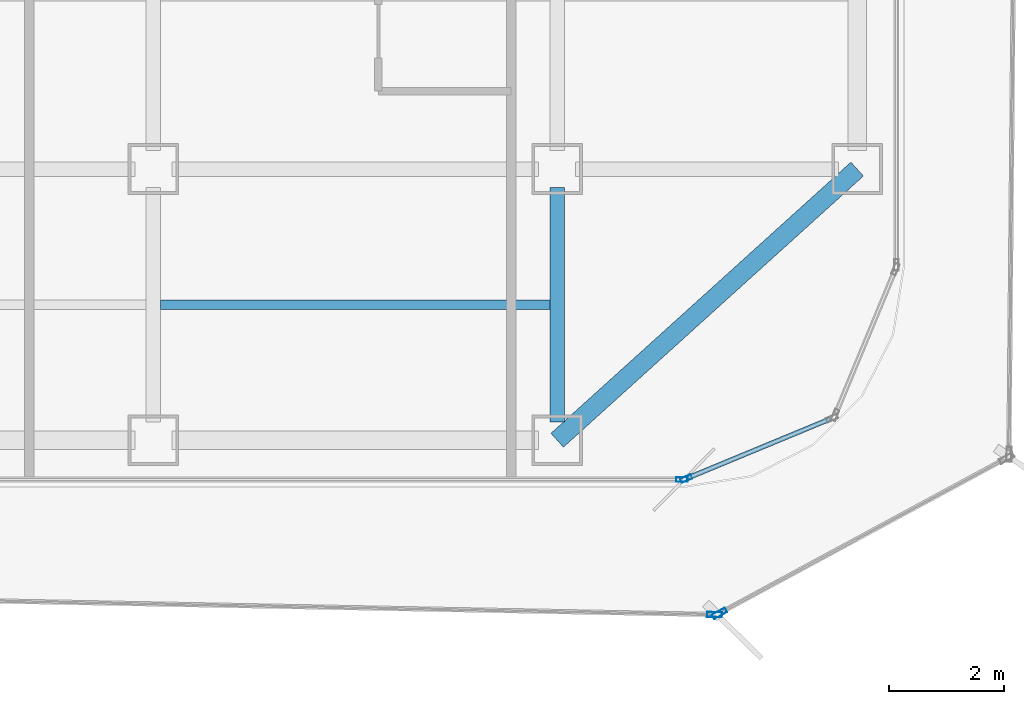
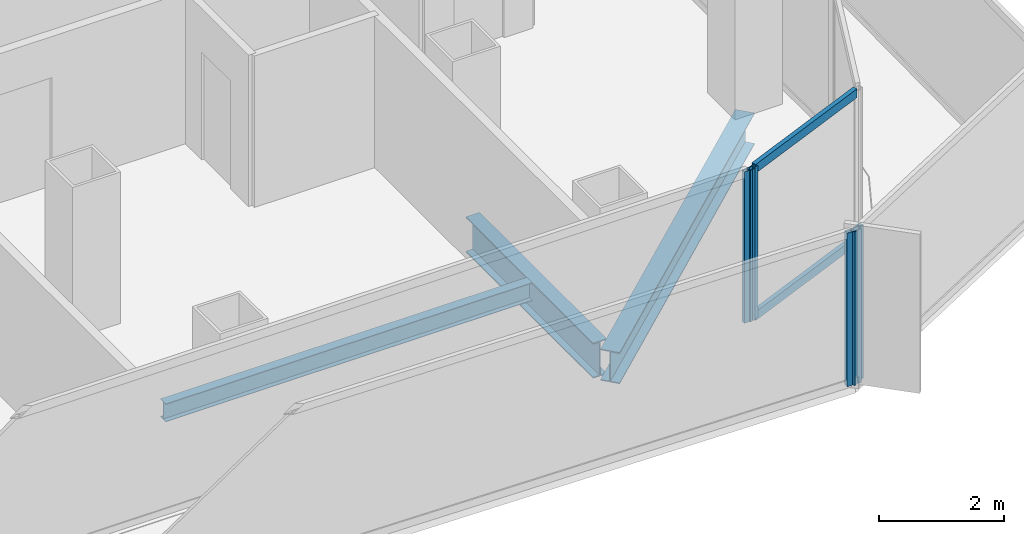
# One storey, part 6 of 21: 6 members, 3 beams, 4 elements without a shape of their own.
"""IFC4 building model written with IfcOpenShell, lengths in metres."""

from ifc_helpers import new_model, si_unit, direction, frame, origin, origin_2d, place, context, subcontext, project, spatial, hollow_rectangle, i_section, extrude, source, transform, mapped, material, layer, layer_set, material_profile, profile_set, type_object, element, aggregate, save


model = new_model("IFC4")

# Units and contexts
model_context = context("Model", 3, precision=1e-05, world=origin(), true_north=direction((0.0, 1.0)))
body_context = subcontext(model_context, "Body", "Model", "MODEL_VIEW")
ifc_project = project(units=[si_unit("LENGTHUNIT", "METRE"), si_unit("AREAUNIT", "SQUARE_METRE"), si_unit("VOLUMEUNIT", "CUBIC_METRE"), si_unit("PLANEANGLEUNIT", "RADIAN"), si_unit("MASSUNIT", "GRAM", prefix="KILO")], contexts=[model_context])

# Site, building, storey
site_placement = place(None, origin())
site = spatial("IfcSite", under=ifc_project, at=site_placement, CompositionType="ELEMENT")
building_placement = place(site_placement, origin())
building = spatial("IfcBuilding", under=site, at=building_placement, Name="Kolveth Station Tower", CompositionType="ELEMENT")
storey_placement = place(building_placement, frame((0.0, 0.0, 95.89990234375)))
storey = spatial("IfcBuildingStorey", under=building, at=storey_placement, Name="L25", CompositionType="ELEMENT", Elevation=95.89990234375)

# Beams
ifc_material_1 = material(Name="Steel S355", Category="steel")
ifc_material_profile_1 = material_profile(ifc_material_1, i_section(OverallWidth=0.323974609375, OverallDepth=0.611083984375, WebThickness=0.0126953125, FlangeThickness=0.01904296875, at=origin_2d()), Name="W610x155")
ifc_profile_set_1 = profile_set([ifc_material_profile_1], Name="Steel S355")
beam_type_1 = type_object("IfcBeamType", Name="Beam_SP2", PredefinedType="SPANDREL", material=ifc_profile_set_1)
shared_shape_1 = source(origin(), body_context, "Body", "SweptSolid", [
    extrude(i_section(OverallWidth=0.323974609375, OverallDepth=0.611083984375, WebThickness=0.0126953125, FlangeThickness=0.01904296875, at=origin_2d()), origin(), (0.0, 0.0, 1.0), 7.00927734375),
])
beam_1_placement = place(storey_placement, frame((41.0, 0.800048828125, -0.555419921875), z_axis=(0.741874009795, 0.670539300557, 0.0), x_axis=(-0.670539300557, 0.741874009795, 0.0)))
element("IfcBeam", 1, at=beam_1_placement, inside=storey, type_object=beam_type_1, Name="L25 Corner Edge Girder BM-L25-CNR-SE", PredefinedType="SPANDREL", context=body_context, shape_type="MappedRepresentation", body=[
    mapped(shared_shape_1, transform((0.0, 0.0, 0.0), x_axis=(1.0, 0.0, 0.0), y_axis=(0.0, 1.0, 0.0), z_axis=(0.0, 0.0, 1.0), scale=1.0)),
])
ifc_material_profile_2 = material_profile(ifc_material_1, i_section(OverallWidth=0.25390625, OverallDepth=0.68798828125, WebThickness=0.01318359375, FlangeThickness=0.02099609375, at=origin_2d()), Name="W690x152")
ifc_profile_set_2 = profile_set([ifc_material_profile_2], Name="Steel S355")
beam_type_2 = type_object("IfcBeamType", Name="Beam_B4", PredefinedType="BEAM", material=ifc_profile_set_2)
shared_shape_2 = source(origin(), body_context, "Body", "SweptSolid", [
    extrude(i_section(OverallWidth=0.25390625, OverallDepth=0.68798828125, WebThickness=0.01318359375, FlangeThickness=0.02099609375, at=origin_2d()), origin(), (0.0, 0.0, 1.0), 4.059814453125),
])
beam_2_placement = place(storey_placement, frame((41.0, 1.1201171875, -0.593994140625), z_axis=(0.0, 1.0, 0.0), x_axis=(-1.0, 0.0, 0.0)))
element("IfcBeam", 2, at=beam_2_placement, inside=storey, type_object=beam_type_2, Name="L25 Primary Girder BM-L25-GX410-1", PredefinedType="BEAM", context=body_context, shape_type="MappedRepresentation", body=[
    mapped(shared_shape_2, transform((0.0, 0.0, 0.0), x_axis=(1.0, 0.0, 0.0), y_axis=(0.0, 1.0, 0.0), z_axis=(0.0, 0.0, 1.0), scale=1.0)),
])
ifc_material_profile_3 = material_profile(ifc_material_1, i_section(OverallWidth=0.1708984375, OverallDepth=0.35205078125, WebThickness=0.0068359375, FlangeThickness=0.009765625, at=origin_2d()), Name="W360x44")
ifc_profile_set_3 = profile_set([ifc_material_profile_3], Name="Steel S355")
beam_type_3 = type_object("IfcBeamType", Name="Beam_J2", PredefinedType="JOIST", material=ifc_profile_set_3)
shared_shape_3 = source(origin(), body_context, "Body", "SweptSolid", [
    extrude(i_section(OverallWidth=0.1708984375, OverallDepth=0.35205078125, WebThickness=0.0068359375, FlangeThickness=0.009765625, at=origin_2d()), origin(), (0.0, 0.0, 1.0), 6.75),
])
beam_3_placement = place(storey_placement, frame((34.125, 3.14990234375, -0.42578125), z_axis=(1.0, 0.0, 0.0), x_axis=(0.0, 1.0, 0.0)))
element("IfcBeam", 3, at=beam_3_placement, inside=storey, type_object=beam_type_3, Name="L25 Secondary Joist JST-L25-6-1", PredefinedType="JOIST", context=body_context, shape_type="MappedRepresentation", body=[
    mapped(shared_shape_3, transform((0.0, 0.0, 0.0), x_axis=(1.0, 0.0, 0.0), y_axis=(0.0, 1.0, 0.0), z_axis=(0.0, 0.0, 1.0), scale=1.0)),
])

# Curtain wall, members
ifc_material_2 = material(Name="Aluminium 6063-T6 and low-E dark glass", Category="aluminium")
ifc_layer_1 = layer(ifc_material_2, 0.18994140625)
ifc_layer_set_1 = layer_set([ifc_layer_1], Name="Aluminium 6063-T6 and low-E dark glass")
curtain_wall_type_1 = type_object("IfcCurtainWallType", Name="CurtainWall_CW-Z2", PredefinedType="NOTDEFINED", material=ifc_layer_set_1)
curtain_wall_1_placement = place(storey_placement, origin())
curtain_wall_1 = element("IfcCurtainWall", 4, at=curtain_wall_1_placement, inside=storey, type_object=curtain_wall_type_1, Name="L25 Inner Thermal Curtain Wall 1", PredefinedType="NOTDEFINED")
ifc_material_3 = material(Name="Black anodized aluminium 6063-T6", Category="aluminium")
ifc_material_profile_4 = material_profile(ifc_material_3, hollow_rectangle(XDim=0.080078125, YDim=0.169921875, WallThickness=0.0048828125, at=origin_2d()), Name="ALU-80x170x5")
ifc_profile_set_4 = profile_set([ifc_material_profile_4], Name="Black anodized aluminium 6063-T6")
member_type_1 = type_object("IfcMemberType", Name="Transom_TR2", PredefinedType="USERDEFINED", material=ifc_profile_set_4)
shared_shape_4 = source(origin(), body_context, "Body", "SweptSolid", [
    extrude(hollow_rectangle(XDim=0.080078125, YDim=0.169921875, WallThickness=0.0048828125, at=origin_2d()), origin(), (0.0, 0.0, 1.0), 2.656494140625),
])
member_1_placement = place(storey_placement, frame((43.27392578125, 0.150634765625, 0.0400390625), z_axis=(0.923882422403, 0.382676455475, 0.0), x_axis=(-0.382676455475, 0.923882422403, 0.0)))
member_1 = element("IfcMember", 5, at=member_1_placement, type_object=member_type_1, Name="CW-Z2 transom 1.1", ObjectType="TRANSOM", PredefinedType="USERDEFINED", context=body_context, shape_type="MappedRepresentation", body=[
    mapped(shared_shape_4, transform((0.0, 0.0, 0.0), x_axis=(1.0, 0.0, 0.0), y_axis=(0.0, 1.0, 0.0), z_axis=(0.0, 0.0, 1.0), scale=1.0)),
])
member_2_placement = place(storey_placement, frame((43.27392578125, 0.150634765625, 2.91015625), z_axis=(0.923882422403, 0.382676455475, 0.0), x_axis=(-0.382676455475, 0.923882422403, 0.0)))
member_2 = element("IfcMember", 6, at=member_2_placement, type_object=member_type_1, Name="CW-Z2 transom 1.2", ObjectType="TRANSOM", PredefinedType="USERDEFINED", context=body_context, shape_type="MappedRepresentation", body=[
    mapped(shared_shape_4, transform((0.0, 0.0, 0.0), x_axis=(1.0, 0.0, 0.0), y_axis=(0.0, 1.0, 0.0), z_axis=(0.0, 0.0, 1.0), scale=1.0)),
])

# Curtain wall, member
ifc_material_4 = material(Name="Black anodized aluminium 6063-T6 and dark solar glass", Category="aluminium")
ifc_layer_2 = layer(ifc_material_4, 0.159912109375)
ifc_layer_set_2 = layer_set([ifc_layer_2], Name="Black anodized aluminium 6063-T6 and dark solar glass")
curtain_wall_type_2 = type_object("IfcCurtainWallType", Name="OUTER SKIN CW-OS", PredefinedType="NOTDEFINED", material=ifc_layer_set_2)
curtain_wall_2_placement = place(storey_placement, origin())
curtain_wall_2 = element("IfcCurtainWall", 7, at=curtain_wall_2_placement, inside=storey, type_object=curtain_wall_type_2, Name="L25 Outer Ventilated Skin Curtain Wall 1", PredefinedType="NOTDEFINED")
ifc_material_profile_5 = material_profile(ifc_material_3, hollow_rectangle(XDim=0.090087890625, YDim=0.260009765625, WallThickness=0.0048828125, at=origin_2d()), Name="ALU-90x260x5")
ifc_profile_set_5 = profile_set([ifc_material_profile_5], Name="Black anodized aluminium 6063-T6")
member_type_2 = type_object("IfcMemberType", Name="FIN MULLION ML-OS", PredefinedType="MULLION", material=ifc_profile_set_5)
shared_shape_5 = source(origin(), body_context, "Body", "SweptSolid", [
    extrude(hollow_rectangle(XDim=0.090087890625, YDim=0.260009765625, WallThickness=0.0048828125, at=origin_2d()), origin(), (0.0, 0.0, 1.0), 2.989990234375),
])
member_3_placement = place(storey_placement, frame((43.812255859375, -2.202392578125, 0.0), z_axis=(0.0, 0.0, 1.0), x_axis=(-0.475374489105, 0.879783550146, 0.0)))
member_3 = element("IfcMember", 8, at=member_3_placement, type_object=member_type_2, Name="CW-OS mullion 1", PredefinedType="MULLION", context=body_context, shape_type="MappedRepresentation", body=[
    mapped(shared_shape_5, transform((0.0, 0.0, 0.0), x_axis=(1.0, 0.0, 0.0), y_axis=(0.0, 1.0, 0.0), z_axis=(0.0, 0.0, 1.0), scale=1.0)),
])
aggregate(curtain_wall_2, [member_3])

curtain_wall_3_placement = place(storey_placement, origin())
curtain_wall_3 = element("IfcCurtainWall", 9, at=curtain_wall_3_placement, inside=storey, type_object=curtain_wall_type_2, Name="L25 Outer Ventilated Skin Curtain Wall 8", PredefinedType="NOTDEFINED")
member_4_placement = place(storey_placement, frame((43.7275390625, -2.222900390625, 0.0), z_axis=(0.0, 0.0, 1.0), x_axis=(0.018786490643, 0.999823518312, 0.0)))
member_4 = element("IfcMember", 10, at=member_4_placement, type_object=member_type_2, Name="CW-OS mullion 2", PredefinedType="MULLION", context=body_context, shape_type="MappedRepresentation", body=[
    mapped(shared_shape_5, transform((0.0, 0.0, 0.0), x_axis=(1.0, 0.0, 0.0), y_axis=(0.0, 1.0, 0.0), z_axis=(0.0, 0.0, 1.0), scale=1.0)),
])
aggregate(curtain_wall_3, [member_4])

# Member
ifc_material_profile_6 = material_profile(ifc_material_3, hollow_rectangle(XDim=0.080078125, YDim=0.199951171875, WallThickness=0.0048828125, at=origin_2d()), Name="ALU-80x200x5")
ifc_profile_set_6 = profile_set([ifc_material_profile_6], Name="Black anodized aluminium 6063-T6")
member_type_3 = type_object("IfcMemberType", Name="Mullion_ML2", PredefinedType="MULLION", material=ifc_profile_set_6)
shared_shape_6 = source(origin(), body_context, "Body", "SweptSolid", [
    extrude(hollow_rectangle(XDim=0.080078125, YDim=0.199951171875, WallThickness=0.0048828125, at=origin_2d()), origin(), (0.0, 0.0, 1.0), 2.9501953125),
])
member_5_placement = place(storey_placement, frame((43.237060546875, 0.13525390625, 0.0), z_axis=(0.0, 0.0, 1.0), x_axis=(-0.38266326998, 0.923887883787, 0.0)))
member_5 = element("IfcMember", 11, at=member_5_placement, type_object=member_type_3, Name="CW-Z2 mullion 1", PredefinedType="MULLION", context=body_context, shape_type="MappedRepresentation", body=[
    mapped(shared_shape_6, transform((0.0, 0.0, 0.0), x_axis=(1.0, 0.0, 0.0), y_axis=(0.0, 1.0, 0.0), z_axis=(0.0, 0.0, 1.0), scale=1.0)),
])

aggregate(curtain_wall_1, [member_5, member_1, member_2])

# Curtain wall, member
curtain_wall_4_placement = place(storey_placement, origin())
curtain_wall_4 = element("IfcCurtainWall", 12, at=curtain_wall_4_placement, inside=storey, type_object=curtain_wall_type_1, Name="L25 Inner Thermal Curtain Wall 12", PredefinedType="NOTDEFINED")
member_6_placement = place(storey_placement, frame((43.159912109375, 0.1201171875, 0.0), z_axis=(0.0, 0.0, 1.0), x_axis=(0.0, 1.0, 0.0)))
member_6 = element("IfcMember", 13, at=member_6_placement, type_object=member_type_3, Name="CW-Z2 mullion 3", PredefinedType="MULLION", context=body_context, shape_type="MappedRepresentation", body=[
    mapped(shared_shape_6, transform((0.0, 0.0, 0.0), x_axis=(1.0, 0.0, 0.0), y_axis=(0.0, 1.0, 0.0), z_axis=(0.0, 0.0, 1.0), scale=1.0)),
])
aggregate(curtain_wall_4, [member_6])

save(model, "model.ifc")
